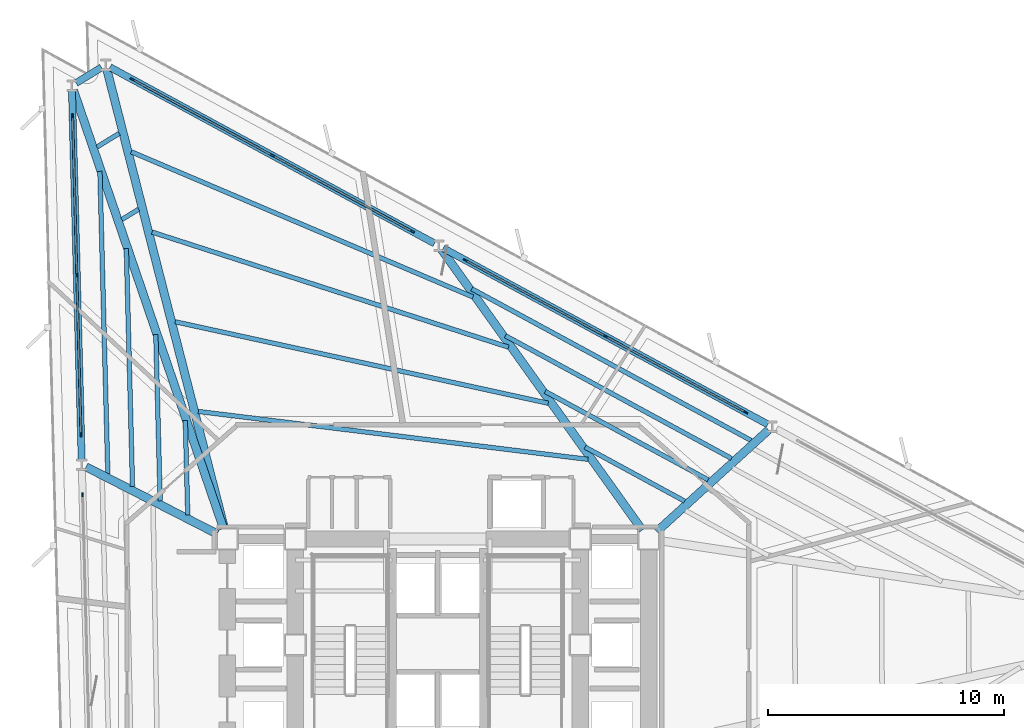
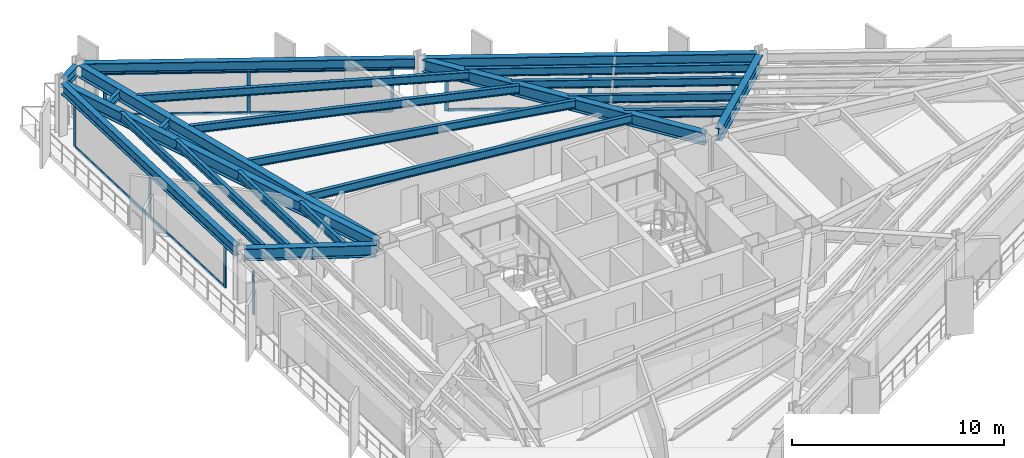
# One storey, part 5 of 14: 23 beams, 22 members, 4 elements without a shape of their own.
"""IFC4 building model written with IfcOpenShell, lengths in metres."""

import ifcopenshell
import ifcopenshell.guid

model = None  # the IFC model being written
_history = None  # IfcOwnerHistory: only IFC2X3 demands one
_inside = {}  # id of a spatial element -> (the spatial element, [elements in it])
_under = {}  # id of a project, library or spatial element -> (it, [spatial elements below it])
_declared = {}  # id of a project -> (the project, [libraries it declares])
_typed = {}  # id of a type object -> (the type object, [elements of that type])
_made_of = {}  # id of a material, layer set ... -> (it, [elements and type objects made of it])


def new_model(schema):
    """Start an empty IFC model of exactly this schema.

    Asked for "IFC4X3", IfcOpenShell would pick the latest addendum, in which some entities
    have other attributes; the version numbers below select the first issue.
    IFC2X3 requires an IfcOwnerHistory on every rooted entity: one is made here for all.
    """
    global model, _history
    if schema == "IFC4X3":
        model = ifcopenshell.file(schema_version=(4, 3, 0, 0))
    else:
        model = ifcopenshell.file(schema=schema)
    _inside.clear()
    _under.clear()
    _declared.clear()
    _typed.clear()
    _made_of.clear()
    _history = None
    if model.schema == "IFC2X3":
        org = make("IfcOrganization", Name="unknown")
        user = make(
            "IfcPersonAndOrganization",
            ThePerson=make("IfcPerson", FamilyName="unknown"),
            TheOrganization=org,
        )
        app = make(
            "IfcApplication",
            ApplicationDeveloper=org,
            Version="unknown",
            ApplicationFullName="unknown",
            ApplicationIdentifier="unknown",
        )
        _history = make(
            "IfcOwnerHistory",
            OwningUser=user,
            OwningApplication=app,
            ChangeAction="ADDED",
            CreationDate=0,
        )
    return model


def make(cls, **values):
    """One entity of the class cls with the attributes given. An attribute that is None is left unset."""
    return model.create_entity(
        cls, **{name: value for name, value in values.items() if value is not None}
    )


def rooted(cls, **values):
    """An entity with a GlobalId (a new one), such as an element, a storey or a relation."""
    return make(cls, GlobalId=ifcopenshell.guid.new(), OwnerHistory=_history, **values)


def si_unit(unit_type, name, prefix=None):
    """IfcSIUnit, for example si_unit("LENGTHUNIT", "METRE", prefix="MILLI")."""
    return make("IfcSIUnit", UnitType=unit_type, Prefix=prefix, Name=name)


def assignment(units):
    """IfcUnitAssignment: the units of a project."""
    return None if units is None else make("IfcUnitAssignment", Units=units)


def point(xyz):
    """IfcCartesianPoint."""
    return None if xyz is None else make("IfcCartesianPoint", Coordinates=xyz)


def direction(xyz):
    """IfcDirection."""
    return None if xyz is None else make("IfcDirection", DirectionRatios=xyz)


def frame(location, z_axis=None, x_axis=None):
    """IfcAxis2Placement3D, a coordinate frame: its origin and axes. An axis left out is left unset."""
    return make(
        "IfcAxis2Placement3D",
        Location=point(location),
        Axis=direction(z_axis),
        RefDirection=direction(x_axis),
    )


def frame_2d(location, x_axis=None):
    """IfcAxis2Placement2D, a coordinate frame in the plane: its origin and x axis."""
    return make(
        "IfcAxis2Placement2D", Location=point(location), RefDirection=direction(x_axis)
    )


def origin():
    """The frame at (0, 0, 0) with its axes left unset."""
    return frame((0.0, 0.0, 0.0))


def origin_2d():
    """The frame at (0, 0) in the plane with its x axis left unset."""
    return frame_2d((0.0, 0.0))


def place(relative_to, where):
    """IfcLocalPlacement: puts the frame where relative to a parent placement (None: the world)."""
    return make(
        "IfcLocalPlacement", PlacementRelTo=relative_to, RelativePlacement=where
    )


def context(
    kind, dimensions, precision=None, world=None, true_north=None, identifier=None
):
    """IfcGeometricRepresentationContext, for example the 3D "Model" context."""
    return make(
        "IfcGeometricRepresentationContext",
        ContextIdentifier=identifier,
        ContextType=kind,
        CoordinateSpaceDimension=dimensions,
        Precision=precision,
        WorldCoordinateSystem=world,
        TrueNorth=true_north,
    )


def subcontext(parent, identifier, kind, view, scale=None):
    """IfcGeometricRepresentationSubContext, for example "Body" below "Model"."""
    return make(
        "IfcGeometricRepresentationSubContext",
        ContextIdentifier=identifier,
        ContextType=kind,
        ParentContext=parent,
        TargetScale=scale,
        TargetView=view,
    )


def project(units=None, contexts=None):
    """IfcProject with its units and contexts."""
    return rooted(
        "IfcProject",
        Name="project",
        RepresentationContexts=contexts,
        UnitsInContext=assignment(units),
    )


def spatial(cls, under=None, at=None, **own):
    """A site, building, storey or space (cls), placed at a placement, below another one or the project."""
    s = rooted(cls, ObjectPlacement=at, **own)
    if under is not None:
        _under.setdefault(under.id(), (under, []))[1].append(s)
    return s


def profile(cls, at=None, kind="AREA", **sizes):
    """A parametric profile (cls). Its sizes go by their IFC names, for example OverallWidth=200.0."""
    return make(cls, ProfileType=kind, Position=at, **sizes)


def rectangle(**sizes):
    """IfcRectangleProfileDef."""
    return profile("IfcRectangleProfileDef", **sizes)


def i_section(**sizes):
    """IfcIShapeProfileDef."""
    return profile("IfcIShapeProfileDef", **sizes)


def extrude(swept, where, along, depth):
    """IfcExtrudedAreaSolid: the profile swept, set in the frame where, extruded along a direction by depth."""
    return make(
        "IfcExtrudedAreaSolid",
        SweptArea=swept,
        Position=where,
        ExtrudedDirection=direction(along),
        Depth=depth,
    )


def shape(context_of_items, identifier, shape_type, items):
    """IfcShapeRepresentation: the items that make up one representation, for example the "Body"."""
    return make(
        "IfcShapeRepresentation",
        ContextOfItems=context_of_items,
        RepresentationIdentifier=identifier,
        RepresentationType=shape_type,
        Items=items,
    )


def material(Name=None, Category=None):
    """IfcMaterial."""
    return make("IfcMaterial", Name=Name, Category=Category)


def layer(
    of_material, thickness, ventilated=None, Name=None, Category=None, Priority=None
):
    """IfcMaterialLayer: one layer of a wall or slab, of a material (None: an air gap)."""
    return make(
        "IfcMaterialLayer",
        Material=of_material,
        LayerThickness=thickness,
        IsVentilated=ventilated,
        Name=Name,
        Category=Category,
        Priority=Priority,
    )


def layer_set(layers, Name=None):
    """IfcMaterialLayerSet."""
    return make("IfcMaterialLayerSet", MaterialLayers=layers, LayerSetName=Name)


def material_profile(
    of_material, cross_section, Name=None, Category=None, Priority=None
):
    """IfcMaterialProfile: a cross section and its material."""
    return make(
        "IfcMaterialProfile",
        Name=Name,
        Material=of_material,
        Profile=cross_section,
        Priority=Priority,
        Category=Category,
    )


def profile_set(profiles, Name=None, composite=None):
    """IfcMaterialProfileSet."""
    return make(
        "IfcMaterialProfileSet",
        Name=Name,
        MaterialProfiles=profiles,
        CompositeProfile=composite,
    )


def made_of(thing, what):
    """Note that an element or type object is made of a material, layer set ...; save() writes the relation."""
    if what is not None:
        _made_of.setdefault(what.id(), (what, []))[1].append(thing)
    return thing


def type_object(cls, material=None, **own):
    """A type object (cls), such as IfcWallType, which elements share."""
    return made_of(rooted(cls, **own), material)


def element(
    cls,
    number,
    at=None,
    inside=None,
    cuts=None,
    type_object=None,
    material=None,
    context=None,
    identifier="Body",
    shape_type=None,
    held_by="IfcProductDefinitionShape",
    body=None,
    shapes=None,
    **own,
):
    """One element of the class cls, such as IfcWall. Its Tag is "e" and its number.

    at: its placement. inside: the storey or other place that contains it. cuts: it is an
    opening in that element (IfcRelVoidsElement). A single representation is given by context,
    identifier, shape_type and body (its items); several are given by shapes. held_by: the class
    of the entity that holds the representations. save() writes the other relations.
    """
    e = rooted(cls, Tag="e%d" % number, ObjectPlacement=at, **own)
    if body is not None:
        shapes = [shape(context, identifier, shape_type, body)]
    if shapes is not None:
        e.Representation = make(held_by, Representations=shapes)
    if inside is not None:
        _inside.setdefault(inside.id(), (inside, []))[1].append(e)
    if cuts is not None:
        rooted(
            "IfcRelVoidsElement", RelatingBuildingElement=cuts, RelatedOpeningElement=e
        )
    if type_object is not None:
        _typed.setdefault(type_object.id(), (type_object, []))[1].append(e)
    return made_of(e, material)


def aggregate(whole, parts):
    """IfcRelAggregates: a whole, such as a stair, and the parts it consists of."""
    return rooted("IfcRelAggregates", RelatingObject=whole, RelatedObjects=parts)


def save(model, path):
    """Write the relations noted so far, then the file.

    IfcRelAggregates (storeys below a building ...), IfcRelContainedInSpatialStructure (elements
    in a storey), IfcRelDefinesByType, IfcRelAssociatesMaterial and IfcRelDeclares: one each for
    every whole, place, type object, material and project.
    """
    for whole, parts in _under.values():
        aggregate(whole, parts)
    for where, things in _inside.values():
        rooted(
            "IfcRelContainedInSpatialStructure",
            RelatedElements=things,
            RelatingStructure=where,
        )
    for kind, things in _typed.values():
        rooted("IfcRelDefinesByType", RelatedObjects=things, RelatingType=kind)
    for what, things in _made_of.values():
        rooted("IfcRelAssociatesMaterial", RelatedObjects=things, RelatingMaterial=what)
    for by, libraries in _declared.values():
        rooted("IfcRelDeclares", RelatingContext=by, RelatedDefinitions=libraries)
    model.write(path)


model = new_model("IFC4")

# Units and contexts
model_context = context("Model", 3, precision=1e-05, world=origin(), true_north=direction((0.0, 1.0)))
body_context = subcontext(model_context, "Body", "Model", "MODEL_VIEW")
ifc_project = project(units=[si_unit("LENGTHUNIT", "METRE"), si_unit("AREAUNIT", "SQUARE_METRE"), si_unit("VOLUMEUNIT", "CUBIC_METRE"), si_unit("PLANEANGLEUNIT", "RADIAN"), si_unit("MASSUNIT", "GRAM", prefix="KILO")], contexts=[model_context])

# Site, building, storey
site_placement = place(None, origin())
site = spatial("IfcSite", under=ifc_project, at=site_placement, CompositionType="ELEMENT")
building_placement = place(site_placement, origin())
building = spatial("IfcBuilding", under=site, at=building_placement, Name="Rocaltana Carrier Exchange", CompositionType="ELEMENT")
storey_placement = place(building_placement, frame((0.0, 0.0, 28.9599609375)))
storey = spatial("IfcBuildingStorey", under=building, at=storey_placement, Name="L09", CompositionType="ELEMENT", Elevation=28.9599609375)

# Curtain wall, members
ifc_material_1 = material(Name="Aluminium 6063-T6", Category="aluminium")
ifc_layer = layer(ifc_material_1, 0.179931640625)
ifc_layer_set = layer_set([ifc_layer], Name="Aluminium 6063-T6")
curtain_wall_type = type_object("IfcCurtainWallType", Name="Sandstone Spandrel Unitised Curtain Wall CW-01", PredefinedType="NOTDEFINED", material=ifc_layer_set)
curtain_wall_1_placement = place(storey_placement, origin())
curtain_wall_1 = element("IfcCurtainWall", 1, at=curtain_wall_1_placement, inside=storey, type_object=curtain_wall_type, Name="L09 CW-01 Run CW-L09-F1S2", PredefinedType="NOTDEFINED")
ifc_material_2 = material(Name="Aluminium 6063-T6", Category="aluminium")
ifc_material_profile_1 = material_profile(ifc_material_2, rectangle(XDim=0.06494140625, YDim=0.179931640625, at=origin_2d()), Name="AL-65X180")
ifc_profile_set_1 = profile_set([ifc_material_profile_1], Name="Aluminium 6063-T6")
member_type_1 = type_object("IfcMemberType", Name="CW-01 Mullion AL-65X180", PredefinedType="MULLION", material=ifc_profile_set_1)
member_1_placement = place(storey_placement, frame((13.064697265625, 9.87890625, 0.0), z_axis=(0.0, 0.0, 1.0), x_axis=(-0.477164068636, -0.878814230428, 0.0)))
member_1 = element("IfcMember", 2, at=member_1_placement, type_object=member_type_1, Name="CW-01 mullion 1", PredefinedType="MULLION", context=body_context, shape_type="SweptSolid", body=[
    extrude(rectangle(XDim=0.06494140625, YDim=0.179931640625, at=origin_2d()), origin(), (0.0, 0.0, 1.0), 2.47802734375),
])
member_2_placement = place(storey_placement, frame((7.1171875, 13.108154296875, 0.0), z_axis=(0.0, 0.0, 1.0), x_axis=(-0.477164068636, -0.878814230428, 0.0)))
member_2 = element("IfcMember", 3, at=member_2_placement, type_object=member_type_1, Name="CW-01 mullion 2", PredefinedType="MULLION", context=body_context, shape_type="SweptSolid", body=[
    extrude(rectangle(XDim=0.06494140625, YDim=0.179931640625, at=origin_2d()), origin(), (0.0, 0.0, 1.0), 2.47802734375),
])
member_3_placement = place(storey_placement, frame((1.169677734375, 16.33740234375, 0.0), z_axis=(0.0, 0.0, 1.0), x_axis=(-0.477164068636, -0.878814230428, 0.0)))
member_3 = element("IfcMember", 4, at=member_3_placement, type_object=member_type_1, Name="CW-01 mullion 3", PredefinedType="MULLION", context=body_context, shape_type="SweptSolid", body=[
    extrude(rectangle(XDim=0.06494140625, YDim=0.179931640625, at=origin_2d()), origin(), (0.0, 0.0, 1.0), 2.47802734375),
])

curtain_wall_2_placement = place(storey_placement, origin())
curtain_wall_2 = element("IfcCurtainWall", 5, at=curtain_wall_2_placement, inside=storey, type_object=curtain_wall_type, Name="L09 CW-01 Run CW-L09-F1S3", PredefinedType="NOTDEFINED")
member_4_placement = place(storey_placement, frame((-1.08447265625, 17.5615234375, 0.0), z_axis=(0.0, 0.0, 1.0), x_axis=(-0.477155794406, -0.878818722982, 0.0)))
member_4 = element("IfcMember", 6, at=member_4_placement, type_object=member_type_1, Name="CW-01 mullion 1", PredefinedType="MULLION", context=body_context, shape_type="SweptSolid", body=[
    extrude(rectangle(XDim=0.06494140625, YDim=0.179931640625, at=origin_2d()), origin(), (0.0, 0.0, 1.0), 2.47802734375),
])
member_5_placement = place(storey_placement, frame((-7.03173828125, 20.79052734375, 0.0), z_axis=(0.0, 0.0, 1.0), x_axis=(-0.477155794406, -0.878818722982, 0.0)))
member_5 = element("IfcMember", 7, at=member_5_placement, type_object=member_type_1, Name="CW-01 mullion 2", PredefinedType="MULLION", context=body_context, shape_type="SweptSolid", body=[
    extrude(rectangle(XDim=0.06494140625, YDim=0.179931640625, at=origin_2d()), origin(), (0.0, 0.0, 1.0), 2.47802734375),
])
member_6_placement = place(storey_placement, frame((-12.979248046875, 24.019775390625, 0.0), z_axis=(0.0, 0.0, 1.0), x_axis=(-0.477155794406, -0.878818722982, 0.0)))
member_6 = element("IfcMember", 8, at=member_6_placement, type_object=member_type_1, Name="CW-01 mullion 3", PredefinedType="MULLION", context=body_context, shape_type="SweptSolid", body=[
    extrude(rectangle(XDim=0.06494140625, YDim=0.179931640625, at=origin_2d()), origin(), (0.0, 0.0, 1.0), 2.47802734375),
])

curtain_wall_3_placement = place(storey_placement, origin())
curtain_wall_3 = element("IfcCurtainWall", 9, at=curtain_wall_3_placement, inside=storey, type_object=curtain_wall_type, Name="L09 CW-01 Run CW-L09-F2S1", PredefinedType="NOTDEFINED")
member_7_placement = place(storey_placement, frame((-15.50927734375, 22.46923828125, 0.0), z_axis=(0.0, 0.0, 1.0), x_axis=(0.999657143044, 0.026183895077, 0.0)))
member_7 = element("IfcMember", 10, at=member_7_placement, type_object=member_type_1, Name="CW-01 mullion 1", PredefinedType="MULLION", context=body_context, shape_type="SweptSolid", body=[
    extrude(rectangle(XDim=0.06494140625, YDim=0.179931640625, at=origin_2d()), origin(), (0.0, 0.0, 1.0), 2.47802734375),
])
member_8_placement = place(storey_placement, frame((-15.33203125, 15.7041015625, 0.0), z_axis=(0.0, 0.0, 1.0), x_axis=(0.999657143044, 0.026183895077, 0.0)))
member_8 = element("IfcMember", 11, at=member_8_placement, type_object=member_type_1, Name="CW-01 mullion 2", PredefinedType="MULLION", context=body_context, shape_type="SweptSolid", body=[
    extrude(rectangle(XDim=0.06494140625, YDim=0.179931640625, at=origin_2d()), origin(), (0.0, 0.0, 1.0), 2.47802734375),
])
member_9_placement = place(storey_placement, frame((-15.155029296875, 8.93896484375, 0.0), z_axis=(0.0, 0.0, 1.0), x_axis=(0.999657143044, 0.026183895077, 0.0)))
member_9 = element("IfcMember", 12, at=member_9_placement, type_object=member_type_1, Name="CW-01 mullion 3", PredefinedType="MULLION", context=body_context, shape_type="SweptSolid", body=[
    extrude(rectangle(XDim=0.06494140625, YDim=0.179931640625, at=origin_2d()), origin(), (0.0, 0.0, 1.0), 2.47802734375),
])

# Curtain wall, member
curtain_wall_4_placement = place(storey_placement, origin())
curtain_wall_4 = element("IfcCurtainWall", 13, at=curtain_wall_4_placement, inside=storey, type_object=curtain_wall_type, Name="L09 CW-01 Run CW-L09-F2S2", PredefinedType="NOTDEFINED")
member_10_placement = place(storey_placement, frame((-15.087890625, 6.374755859375, 0.0), z_axis=(0.0, 0.0, 1.0), x_axis=(0.99965733548, 0.026176547142, 0.0)))
member_10 = element("IfcMember", 14, at=member_10_placement, type_object=member_type_1, Name="CW-01 mullion 1", PredefinedType="MULLION", context=body_context, shape_type="SweptSolid", body=[
    extrude(rectangle(XDim=0.06494140625, YDim=0.179931640625, at=origin_2d()), origin(), (0.0, 0.0, 1.0), 2.47802734375),
])
aggregate(curtain_wall_4, [member_10])

# Member
ifc_material_3 = material(Name="Aluminium 6063-T6", Category="aluminium")
ifc_material_profile_2 = material_profile(ifc_material_3, rectangle(XDim=0.06494140625, YDim=0.179931640625, at=origin_2d()), Name="AL-65X180")
ifc_profile_set_2 = profile_set([ifc_material_profile_2], Name="Aluminium 6063-T6")
member_type_2 = type_object("IfcMemberType", Name="CW-01 Transom AL-65X180", PredefinedType="USERDEFINED", material=ifc_profile_set_2)
member_11_placement = place(storey_placement, frame((13.0361328125, 9.89453125, 0.032470703125), z_axis=(-0.878815465576, 0.477161793802, 0.0), x_axis=(-0.477161793802, -0.878815465576, 0.0)))
member_11 = element("IfcMember", 15, at=member_11_placement, type_object=member_type_2, Name="CW-01 transom 1.1", ObjectType="TRANSOM", PredefinedType="USERDEFINED", context=body_context, shape_type="SweptSolid", body=[
    extrude(rectangle(XDim=0.06494140625, YDim=0.179931640625, at=origin_2d()), origin(), (0.0, 0.0, 1.0), 6.70263671875),
])

member_12_placement = place(storey_placement, frame((13.0361328125, 9.89453125, 2.445556640625), z_axis=(-0.878815465576, 0.477161793802, 0.0), x_axis=(-0.477161793802, -0.878815465576, 0.0)))
member_12 = element("IfcMember", 16, at=member_12_placement, type_object=member_type_2, Name="CW-01 transom 1.2", ObjectType="TRANSOM", PredefinedType="USERDEFINED", context=body_context, shape_type="SweptSolid", body=[
    extrude(rectangle(XDim=0.06494140625, YDim=0.179931640625, at=origin_2d()), origin(), (0.0, 0.0, 1.0), 6.70263671875),
])

member_13_placement = place(storey_placement, frame((7.088623046875, 13.123779296875, 0.032470703125), z_axis=(-0.878815465576, 0.477161793802, 0.0), x_axis=(-0.477161793802, -0.878815465576, 0.0)))
member_13 = element("IfcMember", 17, at=member_13_placement, type_object=member_type_2, Name="CW-01 transom 2.1", ObjectType="TRANSOM", PredefinedType="USERDEFINED", context=body_context, shape_type="SweptSolid", body=[
    extrude(rectangle(XDim=0.06494140625, YDim=0.179931640625, at=origin_2d()), origin(), (0.0, 0.0, 1.0), 6.70263671875),
])

member_14_placement = place(storey_placement, frame((7.088623046875, 13.123779296875, 2.445556640625), z_axis=(-0.878815465576, 0.477161793802, 0.0), x_axis=(-0.477161793802, -0.878815465576, 0.0)))
member_14 = element("IfcMember", 18, at=member_14_placement, type_object=member_type_2, Name="CW-01 transom 2.2", ObjectType="TRANSOM", PredefinedType="USERDEFINED", context=body_context, shape_type="SweptSolid", body=[
    extrude(rectangle(XDim=0.06494140625, YDim=0.179931640625, at=origin_2d()), origin(), (0.0, 0.0, 1.0), 6.70263671875),
])

aggregate(curtain_wall_1, [member_1, member_2, member_3, member_11, member_12, member_13, member_14])

member_15_placement = place(storey_placement, frame((-1.113037109375, 17.576904296875, 0.032470703125), z_axis=(-0.87880717191, 0.477177068392, 0.0), x_axis=(-0.477177068392, -0.87880717191, 0.0)))
member_15 = element("IfcMember", 19, at=member_15_placement, type_object=member_type_2, Name="CW-01 transom 1.1", ObjectType="TRANSOM", PredefinedType="USERDEFINED", context=body_context, shape_type="SweptSolid", body=[
    extrude(rectangle(XDim=0.06494140625, YDim=0.179931640625, at=origin_2d()), origin(), (0.0, 0.0, 1.0), 6.702392578125),
])

member_16_placement = place(storey_placement, frame((-1.113037109375, 17.576904296875, 2.445556640625), z_axis=(-0.87880717191, 0.477177068392, 0.0), x_axis=(-0.477177068392, -0.87880717191, 0.0)))
member_16 = element("IfcMember", 20, at=member_16_placement, type_object=member_type_2, Name="CW-01 transom 1.2", ObjectType="TRANSOM", PredefinedType="USERDEFINED", context=body_context, shape_type="SweptSolid", body=[
    extrude(rectangle(XDim=0.06494140625, YDim=0.179931640625, at=origin_2d()), origin(), (0.0, 0.0, 1.0), 6.702392578125),
])

member_17_placement = place(storey_placement, frame((-7.060302734375, 20.80615234375, 0.032470703125), z_axis=(-0.878830739565, 0.477133661772, 0.0), x_axis=(-0.477133661772, -0.878830739565, 0.0)))
member_17 = element("IfcMember", 21, at=member_17_placement, type_object=member_type_2, Name="CW-01 transom 2.1", ObjectType="TRANSOM", PredefinedType="USERDEFINED", context=body_context, shape_type="SweptSolid", body=[
    extrude(rectangle(XDim=0.06494140625, YDim=0.179931640625, at=origin_2d()), origin(), (0.0, 0.0, 1.0), 6.70263671875),
])

member_18_placement = place(storey_placement, frame((-7.060302734375, 20.80615234375, 2.445556640625), z_axis=(-0.878830739565, 0.477133661772, 0.0), x_axis=(-0.477133661772, -0.878830739565, 0.0)))
member_18 = element("IfcMember", 22, at=member_18_placement, type_object=member_type_2, Name="CW-01 transom 2.2", ObjectType="TRANSOM", PredefinedType="USERDEFINED", context=body_context, shape_type="SweptSolid", body=[
    extrude(rectangle(XDim=0.06494140625, YDim=0.179931640625, at=origin_2d()), origin(), (0.0, 0.0, 1.0), 6.70263671875),
])

aggregate(curtain_wall_2, [member_4, member_5, member_6, member_15, member_16, member_17, member_18])

member_19_placement = place(storey_placement, frame((-15.508544921875, 22.436767578125, 0.032470703125), z_axis=(0.026189818331, -0.999656987879, 0.0), x_axis=(0.999656987879, 0.026189818331, 0.0)))
member_19 = element("IfcMember", 23, at=member_19_placement, type_object=member_type_2, Name="CW-01 transom 1.1", ObjectType="TRANSOM", PredefinedType="USERDEFINED", context=body_context, shape_type="SweptSolid", body=[
    extrude(rectangle(XDim=0.06494140625, YDim=0.179931640625, at=origin_2d()), origin(), (0.0, 0.0, 1.0), 6.702392578125),
])

member_20_placement = place(storey_placement, frame((-15.508544921875, 22.436767578125, 2.445556640625), z_axis=(0.026189818331, -0.999656987879, 0.0), x_axis=(0.999656987879, 0.026189818331, 0.0)))
member_20 = element("IfcMember", 24, at=member_20_placement, type_object=member_type_2, Name="CW-01 transom 1.2", ObjectType="TRANSOM", PredefinedType="USERDEFINED", context=body_context, shape_type="SweptSolid", body=[
    extrude(rectangle(XDim=0.06494140625, YDim=0.179931640625, at=origin_2d()), origin(), (0.0, 0.0, 1.0), 6.702392578125),
])

member_21_placement = place(storey_placement, frame((-15.331298828125, 15.671630859375, 0.032470703125), z_axis=(0.026189818331, -0.999656987879, 0.0), x_axis=(0.999656987879, 0.026189818331, 0.0)))
member_21 = element("IfcMember", 25, at=member_21_placement, type_object=member_type_2, Name="CW-01 transom 2.1", ObjectType="TRANSOM", PredefinedType="USERDEFINED", context=body_context, shape_type="SweptSolid", body=[
    extrude(rectangle(XDim=0.06494140625, YDim=0.179931640625, at=origin_2d()), origin(), (0.0, 0.0, 1.0), 6.702392578125),
])

member_22_placement = place(storey_placement, frame((-15.331298828125, 15.671630859375, 2.445556640625), z_axis=(0.026189818331, -0.999656987879, 0.0), x_axis=(0.999656987879, 0.026189818331, 0.0)))
member_22 = element("IfcMember", 26, at=member_22_placement, type_object=member_type_2, Name="CW-01 transom 2.2", ObjectType="TRANSOM", PredefinedType="USERDEFINED", context=body_context, shape_type="SweptSolid", body=[
    extrude(rectangle(XDim=0.06494140625, YDim=0.179931640625, at=origin_2d()), origin(), (0.0, 0.0, 1.0), 6.702392578125),
])

aggregate(curtain_wall_3, [member_7, member_8, member_9, member_19, member_20, member_21, member_22])

# Beams
ifc_material_4 = material(Name="Steel S355", Category="steel")
ifc_material_profile_3 = material_profile(ifc_material_4, i_section(OverallWidth=0.193115234375, OverallDepth=0.466064453125, WebThickness=0.011474609375, FlangeThickness=0.01904296875, FilletRadius=0.013916015625, at=origin_2d()), Name="W18X65")
ifc_profile_set_3 = profile_set([ifc_material_profile_3], Name="Steel S355")
beam_type_1 = type_object("IfcBeamType", Name="Floor Joist W18X65", PredefinedType="JOIST", material=ifc_profile_set_3)
beam_1_placement = place(storey_placement, frame((10.4765625, 6.107421875, 2.864990234375), z_axis=(-0.87880781256, 0.477175888518, 0.0), x_axis=(-0.477175888518, -0.87880781256, 0.0)))
element("IfcBeam", 27, at=beam_1_placement, inside=storey, type_object=beam_type_1, Name="FJ-L09-02-1", PredefinedType="JOIST", context=body_context, shape_type="SweptSolid", body=[
    extrude(i_section(OverallWidth=0.193115234375, OverallDepth=0.466064453125, WebThickness=0.011474609375, FlangeThickness=0.01904296875, FilletRadius=0.013916015625, at=origin_2d()), origin(), (0.0, 0.0, 1.0), 4.808837890625),
])
beam_2_placement = place(storey_placement, frame((11.472412109375, 7.01318359375, 2.864990234375), z_axis=(-0.878817742056, 0.477157601059, 0.0), x_axis=(-0.477157601059, -0.878817742056, 0.0)))
element("IfcBeam", 28, at=beam_2_placement, inside=storey, type_object=beam_type_1, Name="FJ-L09-02-2", PredefinedType="JOIST", context=body_context, shape_type="SweptSolid", body=[
    extrude(i_section(OverallWidth=0.193115234375, OverallDepth=0.466064453125, WebThickness=0.011474609375, FlangeThickness=0.01904296875, FilletRadius=0.013916015625, at=origin_2d()), origin(), (0.0, 0.0, 1.0), 7.86767578125),
])
beam_3_placement = place(storey_placement, frame((12.468505859375, 7.918701171875, 2.864990234375), z_axis=(-0.878813547662, 0.477165326115, 0.0), x_axis=(-0.477165326115, -0.878813547662, 0.0)))
element("IfcBeam", 29, at=beam_3_placement, inside=storey, type_object=beam_type_1, Name="FJ-L09-02-3", PredefinedType="JOIST", context=body_context, shape_type="SweptSolid", body=[
    extrude(i_section(OverallWidth=0.193115234375, OverallDepth=0.466064453125, WebThickness=0.011474609375, FlangeThickness=0.01904296875, FilletRadius=0.013916015625, at=origin_2d()), origin(), (0.0, 0.0, 1.0), 10.92724609375),
])
beam_4_placement = place(storey_placement, frame((13.30712890625, 8.681396484375, 2.864990234375), z_axis=(-0.878808808583, 0.477174054152, 0.0), x_axis=(-0.477174054152, -0.878808808583, 0.0)))
element("IfcBeam", 30, at=beam_4_placement, inside=storey, type_object=beam_type_1, Name="FJ-L09-02-4", PredefinedType="JOIST", context=body_context, shape_type="SweptSolid", body=[
    extrude(i_section(OverallWidth=0.193115234375, OverallDepth=0.466064453125, WebThickness=0.011474609375, FlangeThickness=0.01904296875, FilletRadius=0.013916015625, at=origin_2d()), origin(), (0.0, 0.0, 1.0), 13.503173828125),
])
beam_5_placement = place(storey_placement, frame((6.374755859375, 7.882080078125, 2.864990234375), z_axis=(-0.992538792143, 0.121929266752, 0.0), x_axis=(-0.121929266752, -0.992538792143, 0.0)))
element("IfcBeam", 31, at=beam_5_placement, inside=storey, type_object=beam_type_1, Name="FJ-L09-03-1", PredefinedType="JOIST", context=body_context, shape_type="SweptSolid", body=[
    extrude(i_section(OverallWidth=0.193115234375, OverallDepth=0.466064453125, WebThickness=0.011474609375, FlangeThickness=0.01904296875, FilletRadius=0.013916015625, at=origin_2d()), origin(), (0.0, 0.0, 1.0), 16.671142578125),
])
beam_6_placement = place(storey_placement, frame((4.68505859375, 10.26318359375, 2.864990234375), z_axis=(-0.976950483749, 0.213466044848, 0.0), x_axis=(-0.213466044848, -0.976950483749, 0.0)))
element("IfcBeam", 32, at=beam_6_placement, inside=storey, type_object=beam_type_1, Name="FJ-L09-03-2", PredefinedType="JOIST", context=body_context, shape_type="SweptSolid", body=[
    extrude(i_section(OverallWidth=0.193115234375, OverallDepth=0.466064453125, WebThickness=0.011474609375, FlangeThickness=0.01904296875, FilletRadius=0.013916015625, at=origin_2d()), origin(), (0.0, 0.0, 1.0), 16.213134765625),
])
beam_7_placement = place(storey_placement, frame((2.9970703125, 12.644775390625, 2.864990234375), z_axis=(-0.951601211607, 0.307335539872, 0.0), x_axis=(-0.307335539872, -0.951601211607, 0.0)))
element("IfcBeam", 33, at=beam_7_placement, inside=storey, type_object=beam_type_1, Name="FJ-L09-03-3", PredefinedType="JOIST", context=body_context, shape_type="SweptSolid", body=[
    extrude(i_section(OverallWidth=0.193115234375, OverallDepth=0.466064453125, WebThickness=0.011474609375, FlangeThickness=0.01904296875, FilletRadius=0.013916015625, at=origin_2d()), origin(), (0.0, 0.0, 1.0), 15.905029296875),
])
beam_8_placement = place(storey_placement, frame((1.48828125, 14.775634765625, 2.864990234375), z_axis=(-0.920350290518, 0.391095055891, 0.0), x_axis=(-0.391095055891, -0.920350290518, 0.0)))
element("IfcBeam", 34, at=beam_8_placement, inside=storey, type_object=beam_type_1, Name="FJ-L09-03-4", PredefinedType="JOIST", context=body_context, shape_type="SweptSolid", body=[
    extrude(i_section(OverallWidth=0.193115234375, OverallDepth=0.466064453125, WebThickness=0.011474609375, FlangeThickness=0.01904296875, FilletRadius=0.013916015625, at=origin_2d()), origin(), (0.0, 0.0, 1.0), 15.76416015625),
])
beam_9_placement = place(storey_placement, frame((-12.70556640625, 18.502685546875, 2.864990234375), z_axis=(-0.852508958132, -0.522712613493, 0.0), x_axis=(0.522712613493, -0.852508958132, 0.0)))
element("IfcBeam", 35, at=beam_9_placement, inside=storey, type_object=beam_type_1, Name="FJ-L09-04-3", PredefinedType="JOIST", context=body_context, shape_type="SweptSolid", body=[
    extrude(i_section(OverallWidth=0.193115234375, OverallDepth=0.466064453125, WebThickness=0.011474609375, FlangeThickness=0.01904296875, FilletRadius=0.013916015625, at=origin_2d()), origin(), (0.0, 0.0, 1.0), 0.83642578125),
])
beam_10_placement = place(storey_placement, frame((-13.530517578125, 21.7236328125, 2.864990234375), z_axis=(-0.852664692341, -0.52245853657, 0.0), x_axis=(0.52245853657, -0.852664692341, 0.0)))
element("IfcBeam", 36, at=beam_10_placement, inside=storey, type_object=beam_type_1, Name="FJ-L09-04-4", PredefinedType="JOIST", context=body_context, shape_type="SweptSolid", body=[
    extrude(i_section(OverallWidth=0.193115234375, OverallDepth=0.466064453125, WebThickness=0.011474609375, FlangeThickness=0.01904296875, FilletRadius=0.013916015625, at=origin_2d()), origin(), (0.0, 0.0, 1.0), 1.106201171875),
])
beam_11_placement = place(storey_placement, frame((-10.7255859375, 9.5263671875, 2.864990234375), z_axis=(0.02615756085, -0.999657832466, 0.0), x_axis=(0.999657832466, 0.02615756085, 0.0)))
element("IfcBeam", 37, at=beam_11_placement, inside=storey, type_object=beam_type_1, Name="FJ-L09-05-1", PredefinedType="JOIST", context=body_context, shape_type="SweptSolid", body=[
    extrude(i_section(OverallWidth=0.193115234375, OverallDepth=0.466064453125, WebThickness=0.011474609375, FlangeThickness=0.01904296875, FilletRadius=0.013916015625, at=origin_2d()), origin(), (0.0, 0.0, 1.0), 4.004150390625),
])
beam_12_placement = place(storey_placement, frame((-11.978271484375, 13.18408203125, 2.864990234375), z_axis=(0.026201236861, -0.999656688662, 0.0), x_axis=(0.999656688662, 0.026201236861, 0.0)))
element("IfcBeam", 38, at=beam_12_placement, inside=storey, type_object=beam_type_1, Name="FJ-L09-05-2", PredefinedType="JOIST", context=body_context, shape_type="SweptSolid", body=[
    extrude(i_section(OverallWidth=0.193115234375, OverallDepth=0.466064453125, WebThickness=0.011474609375, FlangeThickness=0.01904296875, FilletRadius=0.013916015625, at=origin_2d()), origin(), (0.0, 0.0, 1.0), 7.06298828125),
])
beam_13_placement = place(storey_placement, frame((-13.23095703125, 16.841796875, 2.864990234375), z_axis=(0.026194410862, -0.99965686755, 0.0), x_axis=(0.99965686755, 0.026194410862, 0.0)))
element("IfcBeam", 39, at=beam_13_placement, inside=storey, type_object=beam_type_1, Name="FJ-L09-05-3", PredefinedType="JOIST", context=body_context, shape_type="SweptSolid", body=[
    extrude(i_section(OverallWidth=0.193115234375, OverallDepth=0.466064453125, WebThickness=0.011474609375, FlangeThickness=0.01904296875, FilletRadius=0.013916015625, at=origin_2d()), origin(), (0.0, 0.0, 1.0), 10.121826171875),
])
beam_14_placement = place(storey_placement, frame((-14.351806640625, 20.114501953125, 2.864990234375), z_axis=(0.026200832731, -0.999656699254, 0.0), x_axis=(0.999656699254, 0.026200832731, 0.0)))
element("IfcBeam", 40, at=beam_14_placement, inside=storey, type_object=beam_type_1, Name="FJ-L09-05-4", PredefinedType="JOIST", context=body_context, shape_type="SweptSolid", body=[
    extrude(i_section(OverallWidth=0.193115234375, OverallDepth=0.466064453125, WebThickness=0.011474609375, FlangeThickness=0.01904296875, FilletRadius=0.013916015625, at=origin_2d()), origin(), (0.0, 0.0, 1.0), 12.85888671875),
])
ifc_material_5 = material(Name="Steel S355", Category="steel")
ifc_material_profile_4 = material_profile(ifc_material_5, i_section(OverallWidth=0.35498046875, OverallDepth=0.695068359375, WebThickness=0.015380859375, FlangeThickness=0.02490234375, FilletRadius=0.01806640625, at=origin_2d()), Name="W27X146")
ifc_profile_set_4 = profile_set([ifc_material_profile_4], Name="Steel S355")
beam_type_2 = type_object("IfcBeamType", Name="Radial Girder W27X146", PredefinedType="BEAM", material=ifc_profile_set_4)
beam_15_placement = place(storey_placement, frame((9.29541015625, 4.814208984375, 2.75048828125), z_axis=(0.73980908692, 0.672816850941, 0.0), x_axis=(-0.672816850941, 0.73980908692, 0.0)))
element("IfcBeam", 41, at=beam_15_placement, inside=storey, type_object=beam_type_2, Name="RG-L09-02", PredefinedType="BEAM", context=body_context, shape_type="SweptSolid", body=[
    extrude(i_section(OverallWidth=0.35498046875, OverallDepth=0.695068359375, WebThickness=0.015380859375, FlangeThickness=0.02490234375, FilletRadius=0.01806640625, at=origin_2d()), origin(), (0.0, 0.0, 1.0), 6.410400390625),
])
beam_16_placement = place(storey_placement, frame((8.67822265625, 4.8798828125, 2.75048828125), z_axis=(-0.581877216918, 0.813276646924, 0.0), x_axis=(-0.813276646924, -0.581877216918, 0.0)))
element("IfcBeam", 42, at=beam_16_placement, inside=storey, type_object=beam_type_2, Name="RG-L09-03", PredefinedType="BEAM", context=body_context, shape_type="SweptSolid", body=[
    extrude(i_section(OverallWidth=0.35498046875, OverallDepth=0.695068359375, WebThickness=0.015380859375, FlangeThickness=0.02490234375, FilletRadius=0.01806640625, at=origin_2d()), origin(), (0.0, 0.0, 1.0), 14.632568359375),
])
beam_17_placement = place(storey_placement, frame((-9.06591796875, 4.952392578125, 2.75048828125), z_axis=(-0.24811709333, 0.968730049084, 0.0), x_axis=(-0.968730049084, -0.24811709333, 0.0)))
element("IfcBeam", 43, at=beam_17_placement, inside=storey, type_object=beam_type_2, Name="RG-L09-04", PredefinedType="BEAM", context=body_context, shape_type="SweptSolid", body=[
    extrude(i_section(OverallWidth=0.35498046875, OverallDepth=0.695068359375, WebThickness=0.015380859375, FlangeThickness=0.02490234375, FilletRadius=0.01806640625, at=origin_2d()), origin(), (0.0, 0.0, 1.0), 20.1064453125),
])
beam_18_placement = place(storey_placement, frame((-9.101318359375, 4.94189453125, 2.75048828125), z_axis=(-0.3239978436, 0.946057819239, 0.0), x_axis=(-0.946057819239, -0.3239978436, 0.0)))
element("IfcBeam", 44, at=beam_18_placement, inside=storey, type_object=beam_type_2, Name="RG-L09-05", PredefinedType="BEAM", context=body_context, shape_type="SweptSolid", body=[
    extrude(i_section(OverallWidth=0.35498046875, OverallDepth=0.695068359375, WebThickness=0.015380859375, FlangeThickness=0.02490234375, FilletRadius=0.01806640625, at=origin_2d()), origin(), (0.0, 0.0, 1.0), 19.673828125),
])
beam_19_placement = place(storey_placement, frame((-9.36572265625, 4.712646484375, 2.75048828125), z_axis=(-0.890292679997, 0.455388783287, 0.0), x_axis=(-0.455388783287, -0.890292679997, 0.0)))
element("IfcBeam", 45, at=beam_19_placement, inside=storey, type_object=beam_type_2, Name="RG-L09-06", PredefinedType="BEAM", context=body_context, shape_type="SweptSolid", body=[
    extrude(i_section(OverallWidth=0.35498046875, OverallDepth=0.695068359375, WebThickness=0.015380859375, FlangeThickness=0.02490234375, FilletRadius=0.01806640625, at=origin_2d()), origin(), (0.0, 0.0, 1.0), 6.257080078125),
])
ifc_material_6 = material(Name="Steel S355", Category="steel")
ifc_material_profile_5 = material_profile(ifc_material_6, i_section(OverallWidth=0.300048828125, OverallDepth=0.60009765625, WebThickness=0.015380859375, FlangeThickness=0.030029296875, FilletRadius=0.027099609375, at=origin_2d()), Name="HEB600")
ifc_profile_set_5 = profile_set([ifc_material_profile_5], Name="Steel S355")
beam_type_3 = type_object("IfcBeamType", Name="Spandrel Edge Beam HEB600", PredefinedType="SPANDREL", material=ifc_profile_set_5)
for number, where, z_axis, x_axis, name in (
    (46, (14.0087890625, 9.3662109375, 2.798095703125), (-0.8788112834, 0.477169496269, 0.0), (-0.477169496269, -0.8788112834, 0.0), "SP-L09-02"),
    (47, (-0.14013671875, 17.048583984375, 2.798095703125), (-0.8788112834, 0.477169496269, 0.0), (-0.477169496269, -0.8788112834, 0.0), "SP-L09-03"),
):
    element("IfcBeam", number, at=place(storey_placement, frame(where, z_axis=z_axis, x_axis=x_axis)), inside=storey, type_object=beam_type_3, Name=name, PredefinedType="SPANDREL", context=body_context, shape_type="SweptSolid", body=[
        extrude(i_section(OverallWidth=0.300048828125, OverallDepth=0.60009765625, WebThickness=0.015380859375, FlangeThickness=0.030029296875, FilletRadius=0.027099609375, at=origin_2d()), origin(), (0.0, 0.0, 1.0), 15.683837890625),
    ])
beam_20_placement = place(storey_placement, frame((-14.283447265625, 24.52294921875, 2.798095703125), z_axis=(-0.852720134586, -0.522368042735, 0.0), x_axis=(0.522368042735, -0.852720134586, 0.0)))
element("IfcBeam", 48, at=beam_20_placement, inside=storey, type_object=beam_type_3, Name="SP-L09-04", PredefinedType="SPANDREL", context=body_context, shape_type="SweptSolid", body=[
    extrude(i_section(OverallWidth=0.300048828125, OverallDepth=0.60009765625, WebThickness=0.015380859375, FlangeThickness=0.030029296875, FilletRadius=0.027099609375, at=origin_2d()), origin(), (0.0, 0.0, 1.0), 1.268798828125),
])
beam_21_placement = place(storey_placement, frame((-15.53759765625, 23.54345703125, 2.798095703125), z_axis=(0.026197794439, -0.999656778883, 0.0), x_axis=(0.999656778883, 0.026197794439, 0.0)))
element("IfcBeam", 49, at=beam_21_placement, inside=storey, type_object=beam_type_3, Name="SP-L09-05", PredefinedType="SPANDREL", context=body_context, shape_type="SweptSolid", body=[
    extrude(i_section(OverallWidth=0.300048828125, OverallDepth=0.60009765625, WebThickness=0.015380859375, FlangeThickness=0.030029296875, FilletRadius=0.027099609375, at=origin_2d()), origin(), (0.0, 0.0, 1.0), 15.68408203125),
])

save(model, "model.ifc")
